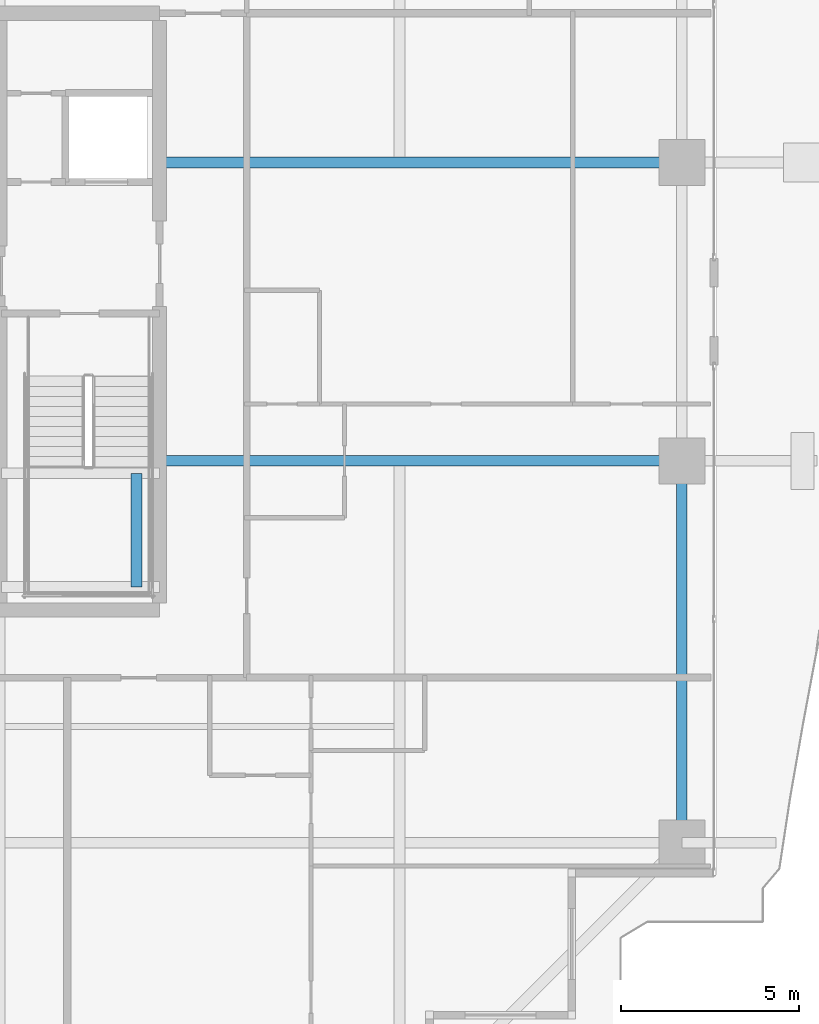
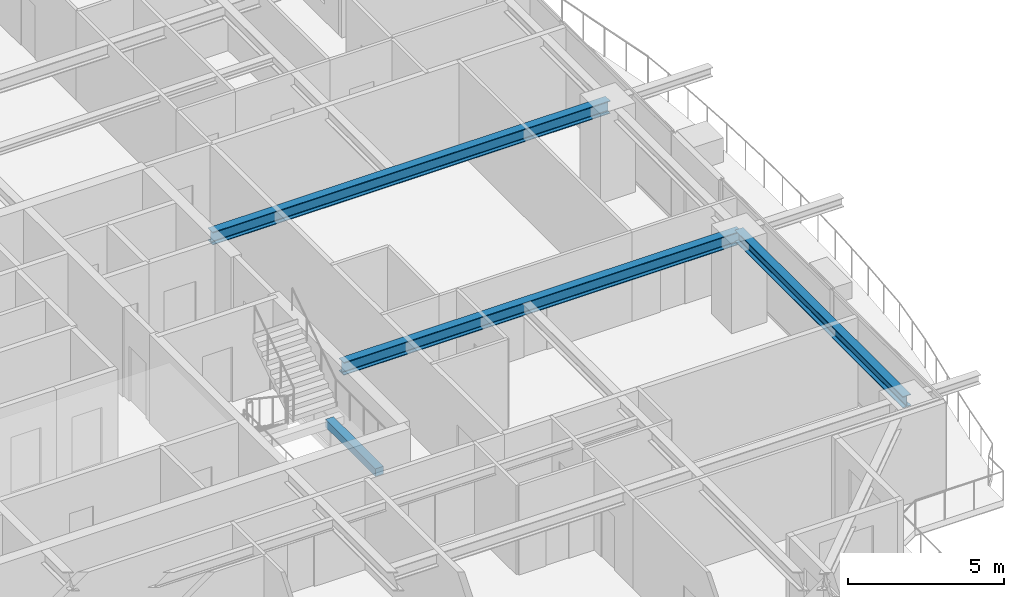
# One storey, part 13 of 35: 4 beams.
"""IFC4 building model written with IfcOpenShell, lengths in metres."""

from ifc_helpers import new_model, si_unit, direction, frame, origin, origin_2d, place, context, subcontext, project, spatial, rectangle, i_section, extrude, source, transform, mapped, material, material_profile, profile_set, type_object, element, save


model = new_model("IFC4")

# Units and contexts
model_context = context("Model", 3, precision=1e-05, world=origin(), true_north=direction((0.0, 1.0)))
body_context = subcontext(model_context, "Body", "Model", "MODEL_VIEW")
ifc_project = project(units=[si_unit("LENGTHUNIT", "METRE"), si_unit("AREAUNIT", "SQUARE_METRE"), si_unit("VOLUMEUNIT", "CUBIC_METRE"), si_unit("PLANEANGLEUNIT", "RADIAN"), si_unit("MASSUNIT", "GRAM", prefix="KILO")], contexts=[model_context])

# Site, building, storey
site_placement = place(None, origin())
site = spatial("IfcSite", under=ifc_project, at=site_placement, CompositionType="ELEMENT")
building_placement = place(site_placement, origin())
building = spatial("IfcBuilding", under=site, at=building_placement, Name="Serunith Strait Residences", CompositionType="ELEMENT")
storey_placement = place(building_placement, frame((0.0, 0.0, 191.39990234375)))
storey = spatial("IfcBuildingStorey", under=building, at=storey_placement, Name="L48", CompositionType="ELEMENT", Elevation=191.39990234375)

# Beams
ifc_material_1 = material(Name="Steel S355J2", Category="steel")
ifc_material_profile_1 = material_profile(ifc_material_1, i_section(OverallWidth=0.300048828125, OverallDepth=0.5, WebThickness=0.014404296875, FlangeThickness=0.028076171875, FilletRadius=0.027099609375, at=origin_2d()), Name="HEB 500")
ifc_profile_set_1 = profile_set([ifc_material_profile_1], Name="Steel S355J2")
beam_type_1 = type_object("IfcBeamType", Name="BM-HEB500", PredefinedType="BEAM", material=ifc_profile_set_1)
shared_shape_1 = source(origin(), body_context, "Body", "SweptSolid", [
    extrude(i_section(OverallWidth=0.300048828125, OverallDepth=0.5, WebThickness=0.014404296875, FlangeThickness=0.028076171875, FilletRadius=0.027099609375, at=origin_2d()), origin(), (0.0, 0.0, 1.0), 14.7001953125),
])
for number, where, z_axis, x_axis, name in (
    (1, (41.39990234375, 21.0, 3.237060546875), (1.0, 0.0, 0.0), (0.0, 1.0, 0.0), "L48 Primary Floor Girder TC-E2"),
    (2, (41.39990234375, 29.39990234375, 3.237060546875), (1.0, 0.0, 0.0), (0.0, 1.0, 0.0), "L48 Primary Floor Girder TC-E3"),
):
    element("IfcBeam", number, at=place(storey_placement, frame(where, z_axis=z_axis, x_axis=x_axis)), inside=storey, type_object=beam_type_1, Name=name, PredefinedType="BEAM", context=body_context, shape_type="MappedRepresentation", body=[
        mapped(shared_shape_1, transform((0.0, 0.0, 0.0), scale=1.0)),
    ])
ifc_material_profile_2 = material_profile(ifc_material_1, i_section(OverallWidth=0.300048828125, OverallDepth=0.449951171875, WebThickness=0.013916015625, FlangeThickness=0.02587890625, FilletRadius=0.027099609375, at=origin_2d()), Name="HEB 450")
ifc_profile_set_2 = profile_set([ifc_material_profile_2], Name="Steel S355J2")
beam_type_2 = type_object("IfcBeamType", Name="BM-HEB450", PredefinedType="BEAM", material=ifc_profile_set_2)
shared_shape_2 = source(origin(), body_context, "Body", "SweptSolid", [
    extrude(i_section(OverallWidth=0.300048828125, OverallDepth=0.449951171875, WebThickness=0.013916015625, FlangeThickness=0.02587890625, FilletRadius=0.027099609375, at=origin_2d()), origin(), (0.0, 0.0, 1.0), 10.75),
])
beam_1_placement = place(storey_placement, frame((56.10009765625, 10.25, 3.26220703125), z_axis=(0.0, 1.0, 0.0), x_axis=(-1.0, 0.0, 0.0)))
element("IfcBeam", 3, at=beam_1_placement, inside=storey, type_object=beam_type_2, Name="L48 Perimeter Ring Beam 05", PredefinedType="BEAM", context=body_context, shape_type="MappedRepresentation", body=[
    mapped(shared_shape_2, transform((0.0, 0.0, 0.0), scale=1.0)),
])
ifc_material_2 = material(Name="Concrete C60/75", Category="concrete")
ifc_material_profile_3 = material_profile(ifc_material_2, rectangle(XDim=0.300048828125, YDim=0.300048828125, at=origin_2d()), Name="RC 300x300")
ifc_profile_set_3 = profile_set([ifc_material_profile_3], Name="Concrete C60/75")
beam_type_3 = type_object("IfcBeamType", Name="BM-LAND-300x300", PredefinedType="BEAM", material=ifc_profile_set_3)
shared_shape_3 = source(origin(), body_context, "Body", "SweptSolid", [
    extrude(rectangle(XDim=0.300048828125, YDim=0.300048828125, at=origin_2d()), origin(), (0.0, 0.0, 1.0), 3.199951171875),
])
beam_2_placement = place(storey_placement, frame((40.75, 17.449951171875, 1.525146484375), z_axis=(0.0, 1.0, 0.0), x_axis=(-1.0, 0.0, 0.0)))
element("IfcBeam", 4, at=beam_2_placement, inside=storey, type_object=beam_type_3, Name="L48 ST-2 Landing Transverse Tie Beam", PredefinedType="BEAM", context=body_context, shape_type="MappedRepresentation", body=[
    mapped(shared_shape_3, transform((0.0, 0.0, 0.0), scale=1.0)),
])

save(model, "model.ifc")
